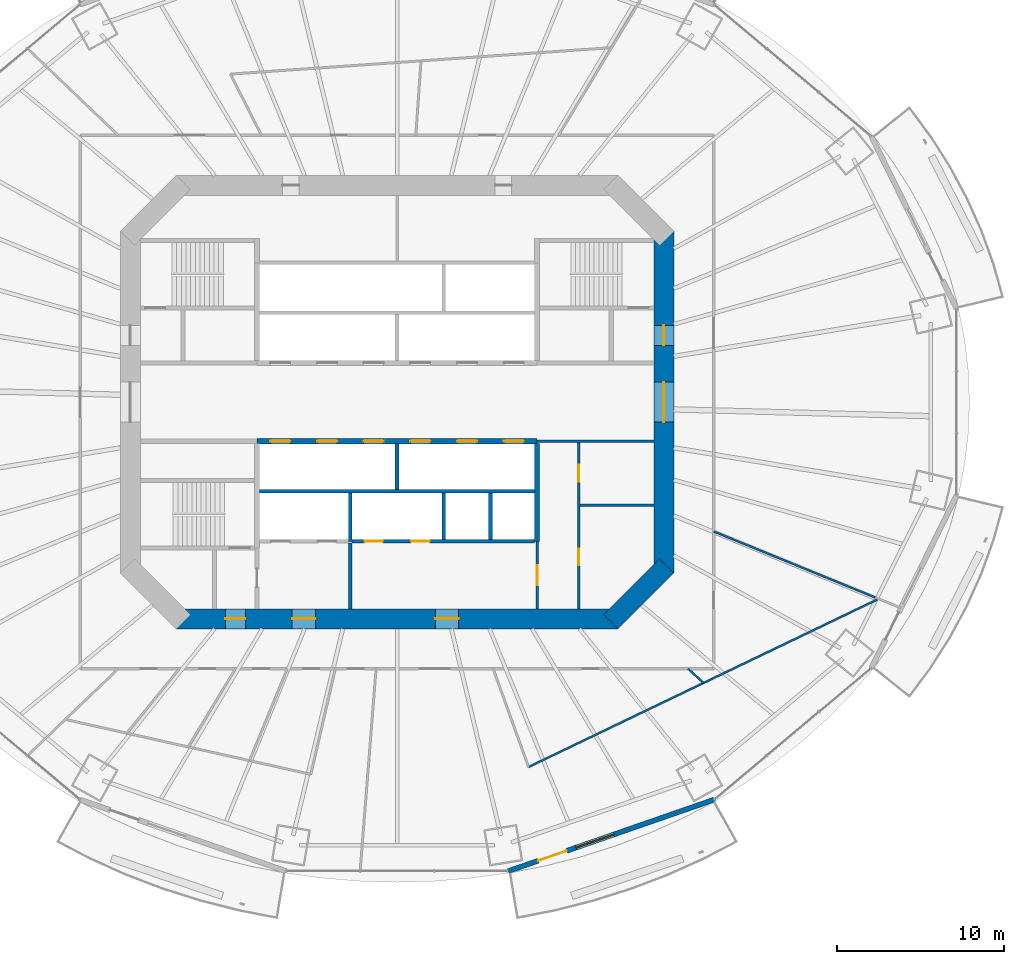
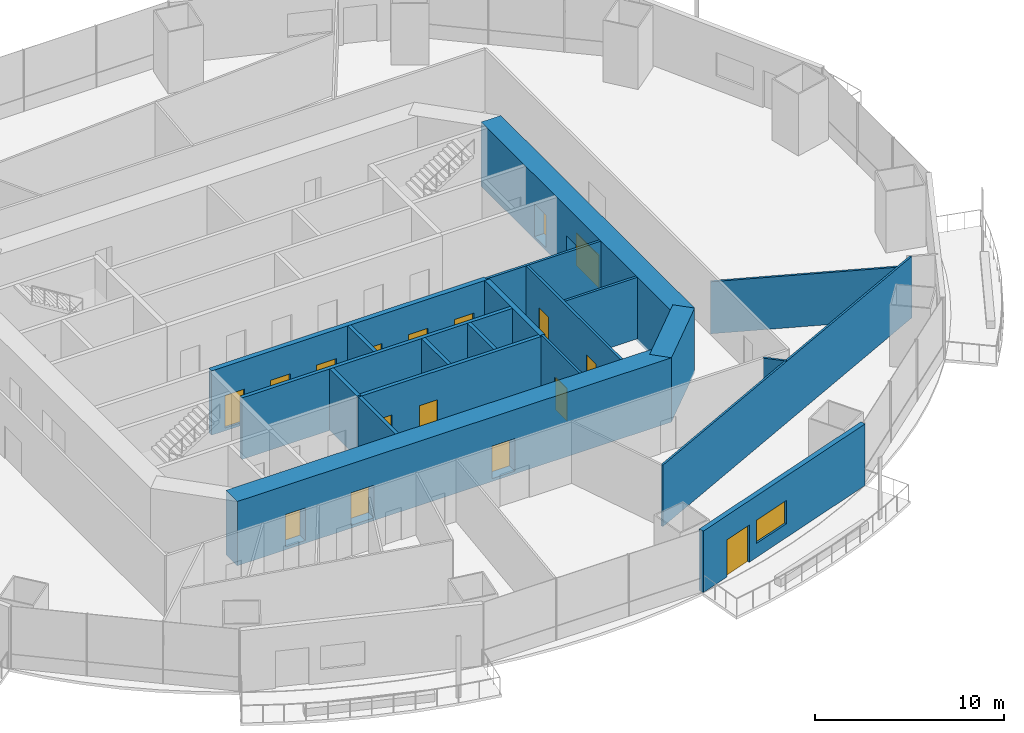
# One storey, part 14 of 22: 20 walls, 17 doors, 1 window, 18 openings.
"""IFC4 building model written with IfcOpenShell, lengths in metres."""

from ifc_helpers import new_model, si_unit, direction, frame, frame_2d, origin, place, context, subcontext, project, spatial, rectangle, extrude, material, layer, layer_set, type_object, element, fill, save


model = new_model("IFC4")

# Units and contexts
model_context = context("Model", 3, precision=1e-05, world=origin(), true_north=direction((0.0, 1.0)))
body_context = subcontext(model_context, "Body", "Model", "MODEL_VIEW")
ifc_project = project(units=[si_unit("LENGTHUNIT", "METRE"), si_unit("AREAUNIT", "SQUARE_METRE"), si_unit("VOLUMEUNIT", "CUBIC_METRE"), si_unit("PLANEANGLEUNIT", "RADIAN"), si_unit("MASSUNIT", "GRAM", prefix="KILO")], contexts=[model_context])

# Site, building, storey
site_placement = place(None, origin())
site = spatial("IfcSite", under=ifc_project, at=site_placement, CompositionType="ELEMENT")
building_placement = place(site_placement, origin())
building = spatial("IfcBuilding", under=site, at=building_placement, Name="Marenthal Gate Tower", CompositionType="ELEMENT")
storey_placement = place(building_placement, frame((0.0, 0.0, 111.85009765625)))
storey = spatial("IfcBuildingStorey", under=building, at=storey_placement, Name="L23", CompositionType="ELEMENT", Elevation=111.85009765625)

# Wall
ifc_material_1 = material(Name="Concrete 60 MPa", Category="concrete")
ifc_layer_1 = layer(ifc_material_1, 1.199951171875)
ifc_layer_set_1 = layer_set([ifc_layer_1], Name="Core shear wall 1200")
wall_type_1 = type_object("IfcWallType", Name="Core shear wall 1200", PredefinedType="SHEAR", material=ifc_layer_set_1)
wall_1_placement = place(storey_placement, frame((12.82421875, -13.17578125, -0.18017578125), z_axis=(0.0, 0.0, 1.0), x_axis=(0.707106781187, 0.707106781187, 0.0)))
element("IfcWall", 1, at=wall_1_placement, inside=storey, type_object=wall_type_1, Name="Core wall 01", PredefinedType="SHEAR", context=body_context, shape_type="SweptSolid", body=[
    extrude(rectangle(XDim=4.73974609375, YDim=1.199951171875, at=frame_2d((2.369873046875, 0.0))), origin(), (0.0, 0.0, 1.0), 4.150146484375),
])

# Wall, openings, doors
wall_2_placement = place(storey_placement, frame((16.0, -10.24853515625, -0.18017578125), z_axis=(0.0, 0.0, 1.0), x_axis=(0.0, 1.0, 0.0)))
wall_2 = element("IfcWall", 2, at=wall_2_placement, inside=storey, type_object=wall_type_1, Name="Core wall 02", PredefinedType="SHEAR", context=body_context, shape_type="SweptSolid", body=[
    extrude(rectangle(XDim=20.4970703125, YDim=1.199951171875, at=frame_2d((10.24853515625, 0.0))), origin(), (0.0, 0.0, 1.0), 4.150146484375),
])
opening_1_placement = place(wall_2_placement, frame((9.048583984375, 0.0, 0.179931640625)))
opening_1 = element("IfcOpeningElement", 3, at=opening_1_placement, cuts=wall_2, Name="Opening D003.02", PredefinedType="OPENING", context=body_context, shape_type="SweptSolid", body=[
    extrude(rectangle(XDim=2.39990234375, YDim=2.10009765625, at=frame_2d((1.199951171875, 1.050048828125))), frame((0.0, 0.60986328125, 0.0), z_axis=(0.0, -1.0, 0.0), x_axis=(1.0, 0.0, 0.0)), (0.0, 0.0, 1.0), 1.219970703125),
])
opening_2_placement = place(wall_2_placement, frame((13.6484375, 0.0, 0.179931640625)))
opening_2 = element("IfcOpeningElement", 4, at=opening_2_placement, cuts=wall_2, Name="Opening D001.05", PredefinedType="OPENING", context=body_context, shape_type="SweptSolid", body=[
    extrude(rectangle(XDim=1.199951171875, YDim=2.10009765625, at=frame_2d((0.60009765625, 1.050048828125))), frame((0.0, 0.60986328125, 0.0), z_axis=(0.0, -1.0, 0.0), x_axis=(1.0, 0.0, 0.0)), (0.0, 0.0, 1.0), 1.219970703125),
])
ifc_material_2 = material(Name="Steel fire door", Category="steel")
door_type_1 = type_object("IfcDoorType", Name="Double fire door FD 45 2400 x 2100", OperationType="DOUBLE_DOOR_SINGLE_SWING", PredefinedType="DOOR", material=ifc_material_2)
door_1_placement = place(opening_1_placement, origin())
door_1 = element("IfcDoor", 5, at=door_1_placement, inside=storey, type_object=door_type_1, Name="Door D003.02", OperationType="DOUBLE_DOOR_SINGLE_SWING", OverallHeight=2.10009765625, OverallWidth=2.39990234375, PredefinedType="DOOR", context=body_context, shape_type="SweptSolid", body=[
    extrude(rectangle(XDim=2.39990234375, YDim=2.10009765625, at=frame_2d((1.199951171875, 1.050048828125))), frame((0.0, 0.02490234375, 0.0), z_axis=(0.0, -1.0, 0.0), x_axis=(1.0, 0.0, 0.0)), (0.0, 0.0, 1.0), 0.050048828125),
])
fill(opening_1, door_1)
ifc_material_3 = material(Name="Steel fire door", Category="steel")
door_type_2 = type_object("IfcDoorType", Name="Fire door FD 90 1200 x 2100", OperationType="NOTDEFINED", PredefinedType="DOOR", material=ifc_material_3)
door_2_placement = place(opening_2_placement, origin())
door_2 = element("IfcDoor", 6, at=door_2_placement, inside=storey, type_object=door_type_2, Name="Door D001.05", OperationType="SINGLE_SWING_RIGHT", OverallHeight=2.10009765625, OverallWidth=1.199951171875, PredefinedType="DOOR", context=body_context, shape_type="SweptSolid", body=[
    extrude(rectangle(XDim=1.199951171875, YDim=2.10009765625, at=frame_2d((0.60009765625, 1.050048828125))), frame((0.0, 0.02490234375, 0.0), z_axis=(0.0, -1.0, 0.0), x_axis=(1.0, 0.0, 0.0)), (0.0, 0.0, 1.0), 0.050048828125),
])
fill(opening_2, door_2)

wall_3_placement = place(storey_placement, frame((-13.24853515625, -13.0, -0.18017578125), z_axis=(0.0, 0.0, 1.0), x_axis=(1.0, 0.0, 0.0)))
wall_3 = element("IfcWall", 7, at=wall_3_placement, inside=storey, type_object=wall_type_1, Name="Core wall 08", PredefinedType="SHEAR", context=body_context, shape_type="SweptSolid", body=[
    extrude(rectangle(XDim=26.4970703125, YDim=1.199951171875, at=frame_2d((13.24853515625, 0.0))), origin(), (0.0, 0.0, 1.0), 4.150146484375),
])
opening_3_placement = place(wall_3_placement, frame((2.948486328125, 0.0, 0.179931640625)))
opening_3 = element("IfcOpeningElement", 8, at=opening_3_placement, cuts=wall_3, Name="Opening D001.06", PredefinedType="OPENING", context=body_context, shape_type="SweptSolid", body=[
    extrude(rectangle(XDim=1.199951171875, YDim=2.10009765625, at=frame_2d((0.60009765625, 1.050048828125))), frame((0.0, 0.60986328125, 0.0), z_axis=(0.0, -1.0, 0.0), x_axis=(1.0, 0.0, 0.0)), (0.0, 0.0, 1.0), 1.219970703125),
])
opening_4_placement = place(wall_3_placement, frame((6.948486328125, 0.0, 0.179931640625)))
opening_4 = element("IfcOpeningElement", 9, at=opening_4_placement, cuts=wall_3, Name="Opening D004.01", PredefinedType="OPENING", context=body_context, shape_type="SweptSolid", body=[
    extrude(rectangle(XDim=1.39990234375, YDim=2.10009765625, at=frame_2d((0.699951171875, 1.050048828125))), frame((0.0, 0.60986328125, 0.0), z_axis=(0.0, -1.0, 0.0), x_axis=(1.0, 0.0, 0.0)), (0.0, 0.0, 1.0), 1.219970703125),
])
opening_5_placement = place(wall_3_placement, frame((15.548583984375, 0.0, 0.179931640625)))
opening_5 = element("IfcOpeningElement", 10, at=opening_5_placement, cuts=wall_3, Name="Opening D004.02", PredefinedType="OPENING", context=body_context, shape_type="SweptSolid", body=[
    extrude(rectangle(XDim=1.39990234375, YDim=2.10009765625, at=frame_2d((0.699951171875, 1.050048828125))), frame((0.0, 0.60986328125, 0.0), z_axis=(0.0, -1.0, 0.0), x_axis=(1.0, 0.0, 0.0)), (0.0, 0.0, 1.0), 1.219970703125),
])
ifc_material_4 = material(Name="Steel fire door", Category="steel")
door_type_3 = type_object("IfcDoorType", Name="Fire door FD 45 1400 x 2100", OperationType="NOTDEFINED", PredefinedType="DOOR", material=ifc_material_4)
door_3_placement = place(opening_4_placement, origin())
door_3 = element("IfcDoor", 11, at=door_3_placement, inside=storey, type_object=door_type_3, Name="Door D004.01", OperationType="SINGLE_SWING_RIGHT", OverallHeight=2.10009765625, OverallWidth=1.39990234375, PredefinedType="DOOR", context=body_context, shape_type="SweptSolid", body=[
    extrude(rectangle(XDim=1.39990234375, YDim=2.10009765625, at=frame_2d((0.699951171875, 1.050048828125))), frame((0.0, 0.02490234375, 0.0), z_axis=(0.0, -1.0, 0.0), x_axis=(1.0, 0.0, 0.0)), (0.0, 0.0, 1.0), 0.050048828125),
])
fill(opening_4, door_3)
door_4_placement = place(opening_5_placement, origin())
door_4 = element("IfcDoor", 12, at=door_4_placement, inside=storey, type_object=door_type_3, Name="Door D004.02", OperationType="SINGLE_SWING_RIGHT", OverallHeight=2.10009765625, OverallWidth=1.39990234375, PredefinedType="DOOR", context=body_context, shape_type="SweptSolid", body=[
    extrude(rectangle(XDim=1.39990234375, YDim=2.10009765625, at=frame_2d((0.699951171875, 1.050048828125))), frame((0.0, 0.02490234375, 0.0), z_axis=(0.0, -1.0, 0.0), x_axis=(1.0, 0.0, 0.0)), (0.0, 0.0, 1.0), 0.050048828125),
])
fill(opening_5, door_4)
door_5_placement = place(opening_3_placement, origin())
door_5 = element("IfcDoor", 13, at=door_5_placement, inside=storey, type_object=door_type_2, Name="Door D001.06", OperationType="SINGLE_SWING_RIGHT", OverallHeight=2.10009765625, OverallWidth=1.199951171875, PredefinedType="DOOR", context=body_context, shape_type="SweptSolid", body=[
    extrude(rectangle(XDim=1.199951171875, YDim=2.10009765625, at=frame_2d((0.60009765625, 1.050048828125))), frame((0.0, 0.02490234375, 0.0), z_axis=(0.0, -1.0, 0.0), x_axis=(1.0, 0.0, 0.0)), (0.0, 0.0, 1.0), 0.050048828125),
])
fill(opening_3, door_5)

# Wall
ifc_material_5 = material(Name="Gypsum board on steel studs", Category="steel")
ifc_layer_2 = layer(ifc_material_5, 0.199951171875)
ifc_layer_set_2 = layer_set([ifc_layer_2], Name="Fire lobby wall 200")
wall_type_2 = type_object("IfcWallType", Name="Fire lobby wall 200", PredefinedType="PARTITIONING", material=ifc_layer_set_2)
wall_4_placement = place(storey_placement, frame((-2.800048828125, -12.39990234375, 0.0), z_axis=(0.0, 0.0, 1.0), x_axis=(0.0, 1.0, 0.0)))
element("IfcWall", 14, at=wall_4_placement, inside=storey, type_object=wall_type_2, Name="Fire wall 33", PredefinedType="PARTITIONING", context=body_context, shape_type="SweptSolid", body=[
    extrude(rectangle(XDim=3.93994140625, YDim=0.199951171875, at=frame_2d((1.969970703125, 0.0))), origin(), (0.0, 0.0, 1.0), 3.969970703125),
])

# Wall, openings, doors
ifc_material_6 = material(Name="Concrete 50 MPa", Category="concrete")
ifc_layer_3 = layer(ifc_material_6, 0.300048828125)
ifc_layer_set_3 = layer_set([ifc_layer_3], Name="Hoistway shear wall 300")
wall_type_3 = type_object("IfcWallType", Name="Hoistway shear wall 300", PredefinedType="SHEAR", material=ifc_layer_set_3)
wall_5_placement = place(storey_placement, frame((-8.39990234375, -2.35009765625, -0.18017578125), z_axis=(0.0, 0.0, 1.0), x_axis=(1.0, 0.0, 0.0)))
wall_5 = element("IfcWall", 15, at=wall_5_placement, inside=storey, type_object=wall_type_3, Name="Hoistway wall 16", PredefinedType="SHEAR", context=body_context, shape_type="SweptSolid", body=[
    extrude(rectangle(XDim=16.7998046875, YDim=0.300048828125, at=frame_2d((8.39990234375, 0.0))), origin(), (0.0, 0.0, 1.0), 4.150146484375),
])
opening_6_placement = place(wall_5_placement, frame((0.800048828125, 0.0, 0.179931640625)))
opening_6 = element("IfcOpeningElement", 16, at=opening_6_placement, cuts=wall_5, Name="Opening LD-LP7", PredefinedType="OPENING", context=body_context, shape_type="SweptSolid", body=[
    extrude(rectangle(XDim=1.199951171875, YDim=2.10009765625, at=frame_2d((0.60009765625, 1.050048828125))), frame((0.0, 0.16015625, 0.0), z_axis=(0.0, -1.0, 0.0), x_axis=(1.0, 0.0, 0.0)), (0.0, 0.0, 1.0), 0.320068359375),
])
opening_7_placement = place(wall_5_placement, frame((3.60009765625, 0.0, 0.179931640625)))
opening_7 = element("IfcOpeningElement", 17, at=opening_7_placement, cuts=wall_5, Name="Opening LD-LP8", PredefinedType="OPENING", context=body_context, shape_type="SweptSolid", body=[
    extrude(rectangle(XDim=1.199951171875, YDim=2.10009765625, at=frame_2d((0.60009765625, 1.050048828125))), frame((0.0, 0.16015625, 0.0), z_axis=(0.0, -1.0, 0.0), x_axis=(1.0, 0.0, 0.0)), (0.0, 0.0, 1.0), 0.320068359375),
])
opening_8_placement = place(wall_5_placement, frame((6.39990234375, 0.0, 0.179931640625)))
opening_8 = element("IfcOpeningElement", 18, at=opening_8_placement, cuts=wall_5, Name="Opening LD-LP9", PredefinedType="OPENING", context=body_context, shape_type="SweptSolid", body=[
    extrude(rectangle(XDim=1.199951171875, YDim=2.10009765625, at=frame_2d((0.60009765625, 1.050048828125))), frame((0.0, 0.16015625, 0.0), z_axis=(0.0, -1.0, 0.0), x_axis=(1.0, 0.0, 0.0)), (0.0, 0.0, 1.0), 0.320068359375),
])
opening_9_placement = place(wall_5_placement, frame((9.199951171875, 0.0, 0.179931640625)))
opening_9 = element("IfcOpeningElement", 19, at=opening_9_placement, cuts=wall_5, Name="Opening LD-LP10", PredefinedType="OPENING", context=body_context, shape_type="SweptSolid", body=[
    extrude(rectangle(XDim=1.199951171875, YDim=2.10009765625, at=frame_2d((0.60009765625, 1.050048828125))), frame((0.0, 0.16015625, 0.0), z_axis=(0.0, -1.0, 0.0), x_axis=(1.0, 0.0, 0.0)), (0.0, 0.0, 1.0), 0.320068359375),
])
opening_10_placement = place(wall_5_placement, frame((12.0, 0.0, 0.179931640625)))
opening_10 = element("IfcOpeningElement", 20, at=opening_10_placement, cuts=wall_5, Name="Opening LD-LP11", PredefinedType="OPENING", context=body_context, shape_type="SweptSolid", body=[
    extrude(rectangle(XDim=1.199951171875, YDim=2.10009765625, at=frame_2d((0.60009765625, 1.050048828125))), frame((0.0, 0.16015625, 0.0), z_axis=(0.0, -1.0, 0.0), x_axis=(1.0, 0.0, 0.0)), (0.0, 0.0, 1.0), 0.320068359375),
])
opening_11_placement = place(wall_5_placement, frame((14.800048828125, 0.0, 0.179931640625)))
opening_11 = element("IfcOpeningElement", 21, at=opening_11_placement, cuts=wall_5, Name="Opening LD-LP12", PredefinedType="OPENING", context=body_context, shape_type="SweptSolid", body=[
    extrude(rectangle(XDim=1.199951171875, YDim=2.10009765625, at=frame_2d((0.60009765625, 1.050048828125))), frame((0.0, 0.16015625, 0.0), z_axis=(0.0, -1.0, 0.0), x_axis=(1.0, 0.0, 0.0)), (0.0, 0.0, 1.0), 0.320068359375),
])
ifc_material_7 = material(Name="Stainless steel sliding door", Category="steel")
door_type_4 = type_object("IfcDoorType", Name="Lift landing door FD 90 1200 x 2100", OperationType="DOUBLE_DOOR_SLIDING", PredefinedType="DOOR", material=ifc_material_7)
door_6_placement = place(opening_6_placement, origin())
door_6 = element("IfcDoor", 22, at=door_6_placement, inside=storey, type_object=door_type_4, Name="Lift landing door LP7", OperationType="DOUBLE_DOOR_SLIDING", OverallHeight=2.10009765625, OverallWidth=1.199951171875, PredefinedType="DOOR", context=body_context, shape_type="SweptSolid", body=[
    extrude(rectangle(XDim=1.199951171875, YDim=2.10009765625, at=frame_2d((0.60009765625, 1.050048828125))), frame((0.0, 0.02490234375, 0.0), z_axis=(0.0, -1.0, 0.0), x_axis=(1.0, 0.0, 0.0)), (0.0, 0.0, 1.0), 0.050048828125),
])
fill(opening_6, door_6)
door_7_placement = place(opening_7_placement, origin())
door_7 = element("IfcDoor", 23, at=door_7_placement, inside=storey, type_object=door_type_4, Name="Lift landing door LP8", OperationType="DOUBLE_DOOR_SLIDING", OverallHeight=2.10009765625, OverallWidth=1.199951171875, PredefinedType="DOOR", context=body_context, shape_type="SweptSolid", body=[
    extrude(rectangle(XDim=1.199951171875, YDim=2.10009765625, at=frame_2d((0.60009765625, 1.050048828125))), frame((0.0, 0.02490234375, 0.0), z_axis=(0.0, -1.0, 0.0), x_axis=(1.0, 0.0, 0.0)), (0.0, 0.0, 1.0), 0.050048828125),
])
fill(opening_7, door_7)
door_8_placement = place(opening_8_placement, origin())
door_8 = element("IfcDoor", 24, at=door_8_placement, inside=storey, type_object=door_type_4, Name="Lift landing door LP9", OperationType="DOUBLE_DOOR_SLIDING", OverallHeight=2.10009765625, OverallWidth=1.199951171875, PredefinedType="DOOR", context=body_context, shape_type="SweptSolid", body=[
    extrude(rectangle(XDim=1.199951171875, YDim=2.10009765625, at=frame_2d((0.60009765625, 1.050048828125))), frame((0.0, 0.02490234375, 0.0), z_axis=(0.0, -1.0, 0.0), x_axis=(1.0, 0.0, 0.0)), (0.0, 0.0, 1.0), 0.050048828125),
])
fill(opening_8, door_8)
door_9_placement = place(opening_9_placement, origin())
door_9 = element("IfcDoor", 25, at=door_9_placement, inside=storey, type_object=door_type_4, Name="Lift landing door LP10", OperationType="DOUBLE_DOOR_SLIDING", OverallHeight=2.10009765625, OverallWidth=1.199951171875, PredefinedType="DOOR", context=body_context, shape_type="SweptSolid", body=[
    extrude(rectangle(XDim=1.199951171875, YDim=2.10009765625, at=frame_2d((0.60009765625, 1.050048828125))), frame((0.0, 0.02490234375, 0.0), z_axis=(0.0, -1.0, 0.0), x_axis=(1.0, 0.0, 0.0)), (0.0, 0.0, 1.0), 0.050048828125),
])
fill(opening_9, door_9)
door_10_placement = place(opening_10_placement, origin())
door_10 = element("IfcDoor", 26, at=door_10_placement, inside=storey, type_object=door_type_4, Name="Lift landing door LP11", OperationType="DOUBLE_DOOR_SLIDING", OverallHeight=2.10009765625, OverallWidth=1.199951171875, PredefinedType="DOOR", context=body_context, shape_type="SweptSolid", body=[
    extrude(rectangle(XDim=1.199951171875, YDim=2.10009765625, at=frame_2d((0.60009765625, 1.050048828125))), frame((0.0, 0.02490234375, 0.0), z_axis=(0.0, -1.0, 0.0), x_axis=(1.0, 0.0, 0.0)), (0.0, 0.0, 1.0), 0.050048828125),
])
fill(opening_10, door_10)
door_11_placement = place(opening_11_placement, origin())
door_11 = element("IfcDoor", 27, at=door_11_placement, inside=storey, type_object=door_type_4, Name="Lift landing door LP12", OperationType="DOUBLE_DOOR_SLIDING", OverallHeight=2.10009765625, OverallWidth=1.199951171875, PredefinedType="DOOR", context=body_context, shape_type="SweptSolid", body=[
    extrude(rectangle(XDim=1.199951171875, YDim=2.10009765625, at=frame_2d((0.60009765625, 1.050048828125))), frame((0.0, 0.02490234375, 0.0), z_axis=(0.0, -1.0, 0.0), x_axis=(1.0, 0.0, 0.0)), (0.0, 0.0, 1.0), 0.050048828125),
])
fill(opening_11, door_11)

# Wall
wall_6_placement = place(storey_placement, frame((8.39990234375, -8.35009765625, -0.18017578125), z_axis=(0.0, 0.0, 1.0), x_axis=(0.0, 1.0, 0.0)))
element("IfcWall", 28, at=wall_6_placement, inside=storey, type_object=wall_type_3, Name="Hoistway wall 42", PredefinedType="SHEAR", context=body_context, shape_type="SweptSolid", body=[
    extrude(rectangle(XDim=5.85009765625, YDim=0.300048828125, at=frame_2d((2.925048828125, 0.0))), origin(), (0.0, 0.0, 1.0), 4.150146484375),
])

# Wall, openings, doors
ifc_material_8 = material(Name="Concrete 40 MPa", Category="concrete")
ifc_layer_4 = layer(ifc_material_8, 0.219970703125)
ifc_layer_set_4 = layer_set([ifc_layer_4], Name="Hoistway wall 220")
wall_type_4 = type_object("IfcWallType", Name="Hoistway wall 220", PredefinedType="STANDARD", material=ifc_layer_set_4)
wall_7_placement = place(storey_placement, frame((-2.68994140625, -8.35009765625, 0.0), z_axis=(0.0, 0.0, 1.0), x_axis=(1.0, 0.0, 0.0)))
wall_7 = element("IfcWall", 29, at=wall_7_placement, inside=storey, type_object=wall_type_4, Name="Hoistway wall 11", PredefinedType="STANDARD", context=body_context, shape_type="SweptSolid", body=[
    extrude(rectangle(XDim=10.93994140625, YDim=0.219970703125, at=frame_2d((5.469970703125, 0.0))), origin(), (0.0, 0.0, 1.0), 3.969970703125),
])
opening_12_placement = place(wall_7_placement, frame((0.739990234375, 0.0, 0.0)))
opening_12 = element("IfcOpeningElement", 30, at=opening_12_placement, cuts=wall_7, Name="Opening LD-SV1", PredefinedType="OPENING", context=body_context, shape_type="SweptSolid", body=[
    extrude(rectangle(XDim=1.10009765625, YDim=2.10009765625, at=frame_2d((0.550048828125, 1.050048828125))), frame((0.0, 0.1201171875, 0.0), z_axis=(0.0, -1.0, 0.0), x_axis=(1.0, 0.0, 0.0)), (0.0, 0.0, 1.0), 0.239990234375),
])
opening_13_placement = place(wall_7_placement, frame((3.5400390625, 0.0, 0.0)))
opening_13 = element("IfcOpeningElement", 31, at=opening_13_placement, cuts=wall_7, Name="Opening LD-SV2", PredefinedType="OPENING", context=body_context, shape_type="SweptSolid", body=[
    extrude(rectangle(XDim=1.10009765625, YDim=2.10009765625, at=frame_2d((0.550048828125, 1.050048828125))), frame((0.0, 0.1201171875, 0.0), z_axis=(0.0, -1.0, 0.0), x_axis=(1.0, 0.0, 0.0)), (0.0, 0.0, 1.0), 0.239990234375),
])
ifc_material_9 = material(Name="Stainless steel sliding door", Category="steel")
door_type_5 = type_object("IfcDoorType", Name="Lift landing door FD 90 1100 x 2100", OperationType="DOUBLE_DOOR_SLIDING", PredefinedType="DOOR", material=ifc_material_9)
door_12_placement = place(opening_12_placement, origin())
door_12 = element("IfcDoor", 32, at=door_12_placement, inside=storey, type_object=door_type_5, Name="Lift landing door SV1", OperationType="DOUBLE_DOOR_SLIDING", OverallHeight=2.10009765625, OverallWidth=1.10009765625, PredefinedType="DOOR", context=body_context, shape_type="SweptSolid", body=[
    extrude(rectangle(XDim=1.10009765625, YDim=2.10009765625, at=frame_2d((0.550048828125, 1.050048828125))), frame((0.0, 0.02490234375, 0.0), z_axis=(0.0, -1.0, 0.0), x_axis=(1.0, 0.0, 0.0)), (0.0, 0.0, 1.0), 0.050048828125),
])
fill(opening_12, door_12)
door_13_placement = place(opening_13_placement, origin())
door_13 = element("IfcDoor", 33, at=door_13_placement, inside=storey, type_object=door_type_5, Name="Lift landing door SV2", OperationType="DOUBLE_DOOR_SLIDING", OverallHeight=2.10009765625, OverallWidth=1.10009765625, PredefinedType="DOOR", context=body_context, shape_type="SweptSolid", body=[
    extrude(rectangle(XDim=1.10009765625, YDim=2.10009765625, at=frame_2d((0.550048828125, 1.050048828125))), frame((0.0, 0.02490234375, 0.0), z_axis=(0.0, -1.0, 0.0), x_axis=(1.0, 0.0, 0.0)), (0.0, 0.0, 1.0), 0.050048828125),
])
fill(opening_13, door_13)

# Walls
wall_8_placement = place(storey_placement, frame((-8.25, -5.35009765625, 0.0), z_axis=(0.0, 0.0, 1.0), x_axis=(1.0, 0.0, 0.0)))
element("IfcWall", 34, at=wall_8_placement, inside=storey, type_object=wall_type_4, Name="Hoistway wall 13", PredefinedType="STANDARD", context=body_context, shape_type="SweptSolid", body=[
    extrude(rectangle(XDim=16.5, YDim=0.219970703125, at=frame_2d((8.25, 0.0))), origin(), (0.0, 0.0, 1.0), 3.969970703125),
])
wall_9_placement = place(storey_placement, frame((-2.800048828125, -8.35009765625, 0.0), z_axis=(0.0, 0.0, 1.0), x_axis=(0.0, 1.0, 0.0)))
element("IfcWall", 35, at=wall_9_placement, inside=storey, type_object=wall_type_4, Name="Hoistway wall 34", PredefinedType="STANDARD", context=body_context, shape_type="SweptSolid", body=[
    extrude(rectangle(XDim=2.89013671875, YDim=0.219970703125, at=frame_2d((1.445068359375, 0.0))), origin(), (0.0, 0.0, 1.0), 3.969970703125),
])
wall_10_placement = place(storey_placement, frame((0.0, -5.239990234375, 0.0), z_axis=(0.0, 0.0, 1.0), x_axis=(0.0, 1.0, 0.0)))
element("IfcWall", 36, at=wall_10_placement, inside=storey, type_object=wall_type_4, Name="Hoistway wall 35", PredefinedType="STANDARD", context=body_context, shape_type="SweptSolid", body=[
    extrude(rectangle(XDim=2.739990234375, YDim=0.219970703125, at=frame_2d((1.3701171875, 0.0))), origin(), (0.0, 0.0, 1.0), 3.969970703125),
])
for number, where, z_axis, x_axis, name in (
    (37, (2.800048828125, -8.239990234375, 0.0), (0.0, 0.0, 1.0), (0.0, 1.0, 0.0), "Hoistway wall 38"),
    (38, (5.60009765625, -8.239990234375, 0.0), (0.0, 0.0, 1.0), (0.0, 1.0, 0.0), "Hoistway wall 40"),
):
    element("IfcWall", number, at=place(storey_placement, frame(where, z_axis=z_axis, x_axis=x_axis)), inside=storey, type_object=wall_type_4, Name=name, PredefinedType="STANDARD", context=body_context, shape_type="SweptSolid", body=[
        extrude(rectangle(XDim=2.780029296875, YDim=0.219970703125, at=frame_2d((1.39013671875, 0.0))), origin(), (0.0, 0.0, 1.0), 3.969970703125),
    ])
ifc_material_10 = material(Name="Gypsum board on steel studs", Category="steel")
ifc_layer_5 = layer(ifc_material_10, 0.1201171875)
ifc_layer_set_5 = layer_set([ifc_layer_5], Name="Partition 120")
wall_type_5 = type_object("IfcWallType", Name="Partition 120", PredefinedType="PARTITIONING", material=ifc_layer_set_5)
wall_11_placement = place(storey_placement, frame((7.887451171875, -21.892333984375, 0.0), z_axis=(0.0, 0.0, 1.0), x_axis=(0.901432619072, 0.432919430463, 0.0)))
element("IfcWall", 39, at=wall_11_placement, inside=storey, type_object=wall_type_5, Name="Partition wall 59", PredefinedType="PARTITIONING", context=body_context, shape_type="SweptSolid", body=[
    extrude(rectangle(XDim=23.30029296875, YDim=0.1201171875, at=frame_2d((11.650146484375, 0.0))), origin(), (0.0, 0.0, 1.0), 3.969970703125),
])
wall_12_placement = place(storey_placement, frame((18.38916015625, -16.848876953125, 0.0), z_axis=(0.0, 0.0, 1.0), x_axis=(-0.737234794409, 0.675636631565, 0.0)))
element("IfcWall", 40, at=wall_12_placement, inside=storey, type_object=wall_type_5, Name="Partition wall 63", PredefinedType="PARTITIONING", context=body_context, shape_type="SweptSolid", body=[
    extrude(rectangle(XDim=1.25634765625, YDim=0.1201171875, at=frame_2d((0.628173828125, 0.0))), origin(), (0.0, 0.0, 1.0), 3.969970703125),
])
wall_13_placement = place(storey_placement, frame((19.0, -7.763427734375, 0.0), z_axis=(0.0, 0.0, 1.0), x_axis=(0.925699985713, -0.37825855767, 0.0)))
element("IfcWall", 41, at=wall_13_placement, inside=storey, type_object=wall_type_5, Name="Partition wall 65", PredefinedType="PARTITIONING", context=body_context, shape_type="SweptSolid", body=[
    extrude(rectangle(XDim=10.465087890625, YDim=0.1201171875, at=frame_2d((5.232421875, 0.0))), origin(), (0.0, 0.0, 1.0), 3.35791015625),
])
ifc_material_11 = material(Name="Gypsum board on steel studs", Category="steel")
ifc_layer_6 = layer(ifc_material_11, 0.14990234375)
ifc_layer_set_6 = layer_set([ifc_layer_6], Name="Partition 150")
wall_type_6 = type_object("IfcWallType", Name="Partition 150", PredefinedType="PARTITIONING", material=ifc_layer_set_6)
wall_14_placement = place(storey_placement, frame((10.97509765625, -6.199951171875, 0.0), z_axis=(0.0, 0.0, 1.0), x_axis=(1.0, 0.0, 0.0)))
element("IfcWall", 42, at=wall_14_placement, inside=storey, type_object=wall_type_6, Name="Partition wall 12", PredefinedType="PARTITIONING", context=body_context, shape_type="SweptSolid", body=[
    extrude(rectangle(XDim=4.4248046875, YDim=0.14990234375, at=frame_2d((2.21240234375, 0.0))), origin(), (0.0, 0.0, 1.0), 3.969970703125),
])
wall_15_placement = place(storey_placement, frame((8.39990234375, -2.35009765625, 0.0), z_axis=(0.0, 0.0, 1.0), x_axis=(1.0, 0.0, 0.0)))
element("IfcWall", 43, at=wall_15_placement, inside=storey, type_object=wall_type_6, Name="Partition wall 17", PredefinedType="PARTITIONING", context=body_context, shape_type="SweptSolid", body=[
    extrude(rectangle(XDim=7.0, YDim=0.14990234375, at=frame_2d((3.5, 0.0))), origin(), (0.0, 0.0, 1.0), 3.969970703125),
])

# Wall, opening, door
wall_16_placement = place(storey_placement, frame((8.39990234375, -12.39990234375, 0.0), z_axis=(0.0, 0.0, 1.0), x_axis=(0.0, 1.0, 0.0)))
wall_16 = element("IfcWall", 44, at=wall_16_placement, inside=storey, type_object=wall_type_6, Name="Partition wall 41", PredefinedType="PARTITIONING", context=body_context, shape_type="SweptSolid", body=[
    extrude(rectangle(XDim=4.0498046875, YDim=0.14990234375, at=frame_2d((2.02490234375, 0.0))), origin(), (0.0, 0.0, 1.0), 3.969970703125),
])
opening_14_placement = place(wall_16_placement, frame((1.425048828125, 0.0, 0.0)))
opening_14 = element("IfcOpeningElement", 45, at=opening_14_placement, cuts=wall_16, Name="Opening D006.01", PredefinedType="OPENING", context=body_context, shape_type="SweptSolid", body=[
    extrude(rectangle(XDim=1.199951171875, YDim=2.10009765625, at=frame_2d((0.60009765625, 1.050048828125))), frame((0.0, 0.0849609375, 0.0), z_axis=(0.0, -1.0, 0.0), x_axis=(1.0, 0.0, 0.0)), (0.0, 0.0, 1.0), 0.169921875),
])
ifc_material_12 = material(Name="Steel fire door", Category="steel")
door_type_6 = type_object("IfcDoorType", Name="Fire door FD 45 1200 x 2100", OperationType="NOTDEFINED", PredefinedType="DOOR", material=ifc_material_12)
door_14_placement = place(opening_14_placement, frame((1.199951171875, 0.0, 0.0), z_axis=(0.0, 0.0, 1.0), x_axis=(-1.0, 0.0, 0.0)))
door_14 = element("IfcDoor", 46, at=door_14_placement, inside=storey, type_object=door_type_6, Name="Door D006.01", OperationType="SINGLE_SWING_LEFT", OverallHeight=2.10009765625, OverallWidth=1.199951171875, PredefinedType="DOOR", context=body_context, shape_type="SweptSolid", body=[
    extrude(rectangle(XDim=1.199951171875, YDim=2.10009765625, at=frame_2d((0.60009765625, 1.050048828125))), frame((0.0, 0.02490234375, 0.0), z_axis=(0.0, -1.0, 0.0), x_axis=(1.0, 0.0, 0.0)), (0.0, 0.0, 1.0), 0.050048828125),
])
fill(opening_14, door_14)

# Wall, openings, doors
wall_17_placement = place(storey_placement, frame((10.89990234375, -12.39990234375, 0.0), z_axis=(0.0, 0.0, 1.0), x_axis=(0.0, 1.0, 0.0)))
wall_17 = element("IfcWall", 47, at=wall_17_placement, inside=storey, type_object=wall_type_6, Name="Partition wall 45", PredefinedType="PARTITIONING", context=body_context, shape_type="SweptSolid", body=[
    extrude(rectangle(XDim=9.974853515625, YDim=0.14990234375, at=frame_2d((4.9873046875, 0.0))), origin(), (0.0, 0.0, 1.0), 3.969970703125),
])
opening_15_placement = place(wall_17_placement, frame((7.625, 0.0, 0.0)))
opening_15 = element("IfcOpeningElement", 48, at=opening_15_placement, cuts=wall_17, Name="Opening D005.03", PredefinedType="OPENING", context=body_context, shape_type="SweptSolid", body=[
    extrude(rectangle(XDim=1.0, YDim=2.10009765625, at=frame_2d((0.5, 1.050048828125))), frame((0.0, 0.0849609375, 0.0), z_axis=(0.0, -1.0, 0.0), x_axis=(1.0, 0.0, 0.0)), (0.0, 0.0, 1.0), 0.169921875),
])
opening_16_placement = place(wall_17_placement, frame((2.60009765625, 0.0, 0.0)))
opening_16 = element("IfcOpeningElement", 49, at=opening_16_placement, cuts=wall_17, Name="Opening D005.04", PredefinedType="OPENING", context=body_context, shape_type="SweptSolid", body=[
    extrude(rectangle(XDim=1.0, YDim=2.10009765625, at=frame_2d((0.5, 1.050048828125))), frame((0.0, 0.0849609375, 0.0), z_axis=(0.0, -1.0, 0.0), x_axis=(1.0, 0.0, 0.0)), (0.0, 0.0, 1.0), 0.169921875),
])
ifc_material_13 = material(Name="Steel fire door", Category="steel")
door_type_7 = type_object("IfcDoorType", Name="Fire door FD 45 1000 x 2100", OperationType="NOTDEFINED", PredefinedType="DOOR", material=ifc_material_13)
door_15_placement = place(opening_15_placement, frame((1.0, 0.0, 0.0), z_axis=(0.0, 0.0, 1.0), x_axis=(-1.0, 0.0, 0.0)))
door_15 = element("IfcDoor", 50, at=door_15_placement, inside=storey, type_object=door_type_7, Name="Door D005.03", OperationType="SINGLE_SWING_LEFT", OverallHeight=2.10009765625, OverallWidth=1.0, PredefinedType="DOOR", context=body_context, shape_type="SweptSolid", body=[
    extrude(rectangle(XDim=1.0, YDim=2.10009765625, at=frame_2d((0.5, 1.050048828125))), frame((0.0, 0.02490234375, 0.0), z_axis=(0.0, -1.0, 0.0), x_axis=(1.0, 0.0, 0.0)), (0.0, 0.0, 1.0), 0.050048828125),
])
fill(opening_15, door_15)
door_16_placement = place(opening_16_placement, frame((1.0, 0.0, 0.0), z_axis=(0.0, 0.0, 1.0), x_axis=(-1.0, 0.0, 0.0)))
door_16 = element("IfcDoor", 51, at=door_16_placement, inside=storey, type_object=door_type_7, Name="Door D005.04", OperationType="SINGLE_SWING_LEFT", OverallHeight=2.10009765625, OverallWidth=1.0, PredefinedType="DOOR", context=body_context, shape_type="SweptSolid", body=[
    extrude(rectangle(XDim=1.0, YDim=2.10009765625, at=frame_2d((0.5, 1.050048828125))), frame((0.0, 0.02490234375, 0.0), z_axis=(0.0, -1.0, 0.0), x_axis=(1.0, 0.0, 0.0)), (0.0, 0.0, 1.0), 0.050048828125),
])
fill(opening_16, door_16)

# Wall, openings, door, window
ifc_material_14 = material(Name="Terracotta cladding on insulated concrete-block backing", Category="masonry")
ifc_layer_7 = layer(ifc_material_14, 0.300048828125)
ifc_layer_set_7 = layer_set([ifc_layer_7], Name="Terracotta facade wall 300")
wall_type_7 = type_object("IfcWallType", Name="Terracotta facade wall 300", PredefinedType="SOLIDWALL", material=ifc_layer_set_7)
wall_18_placement = place(storey_placement, frame((6.67724609375, -28.13671875, 0.0), z_axis=(0.0, 0.0, 1.0), x_axis=(0.944684524645, 0.327980409318, 0.0)))
wall_18 = element("IfcWall", 52, at=wall_18_placement, inside=storey, type_object=wall_type_7, Name="Terracotta facade wall L23 bay 13", PredefinedType="SOLIDWALL", context=body_context, shape_type="SweptSolid", body=[
    extrude(rectangle(XDim=13.06005859375, YDim=0.300048828125, at=frame_2d((6.530029296875, 0.0))), origin(), (0.0, 0.0, 1.0), 3.969970703125),
])
opening_17_placement = place(wall_18_placement, frame((1.89990234375, 0.0, 0.0)))
opening_17 = element("IfcOpeningElement", 53, at=opening_17_placement, cuts=wall_18, Name="Opening BD-L23-13", PredefinedType="OPENING", context=body_context, shape_type="SweptSolid", body=[
    extrude(rectangle(XDim=1.800048828125, YDim=2.39990234375, at=frame_2d((0.89990234375, 1.199951171875))), frame((0.0, 0.16015625, 0.0), z_axis=(0.0, -1.0, 0.0), x_axis=(1.0, 0.0, 0.0)), (0.0, 0.0, 1.0), 0.320068359375),
])
opening_18_placement = place(wall_18_placement, frame((4.300048828125, 0.0, 0.89990234375)))
opening_18 = element("IfcOpeningElement", 54, at=opening_18_placement, cuts=wall_18, Name="Opening WN1-L23-13", PredefinedType="OPENING", context=body_context, shape_type="SweptSolid", body=[
    extrude(rectangle(XDim=2.39990234375, YDim=1.5, at=frame_2d((1.199951171875, 0.75))), frame((0.0, 0.16015625, 0.0), z_axis=(0.0, -1.0, 0.0), x_axis=(1.0, 0.0, 0.0)), (0.0, 0.0, 1.0), 0.320068359375),
])
ifc_material_15 = material(Name="Aluminium and glass", Category="aluminium")
door_type_8 = type_object("IfcDoorType", Name="Balcony door 1800x2400", OperationType="DOUBLE_DOOR_SINGLE_SWING", PredefinedType="DOOR", material=ifc_material_15)
door_17_placement = place(opening_17_placement, origin())
door_17 = element("IfcDoor", 55, at=door_17_placement, inside=storey, type_object=door_type_8, Name="Balcony door L23 bay 13", OperationType="SINGLE_SWING_LEFT", OverallHeight=2.39990234375, OverallWidth=1.800048828125, PredefinedType="DOOR", context=body_context, shape_type="SweptSolid", body=[
    extrude(rectangle(XDim=1.800048828125, YDim=2.39990234375, at=frame_2d((0.89990234375, 1.199951171875))), frame((0.0, 0.02490234375, 0.0), z_axis=(0.0, -1.0, 0.0), x_axis=(1.0, 0.0, 0.0)), (0.0, 0.0, 1.0), 0.050048828125),
])
fill(opening_17, door_17)
ifc_material_16 = material(Name="Aluminium and glass", Category="aluminium")
window_type = type_object("IfcWindowType", Name="Window 2400x1500", PartitioningType="TRIPLE_PANEL_VERTICAL", PredefinedType="WINDOW", material=ifc_material_16)
window_placement = place(opening_18_placement, origin())
window = element("IfcWindow", 56, at=window_placement, inside=storey, type_object=window_type, Name="Window L23 bay 13", OverallHeight=1.5, OverallWidth=2.39990234375, PartitioningType="SINGLE_PANEL", PredefinedType="WINDOW", context=body_context, shape_type="SweptSolid", body=[
    extrude(rectangle(XDim=2.39990234375, YDim=1.5, at=frame_2d((1.199951171875, 0.75))), frame((0.0, 0.030029296875, 0.0), z_axis=(0.0, -1.0, 0.0), x_axis=(1.0, 0.0, 0.0)), (0.0, 0.0, 1.0), 0.06005859375),
])
fill(opening_18, window)

save(model, "model.ifc")
